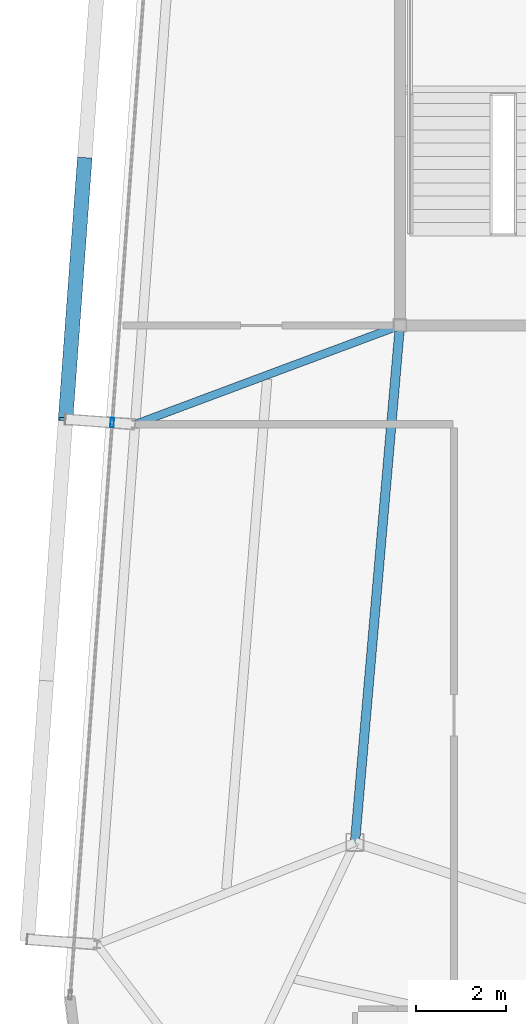
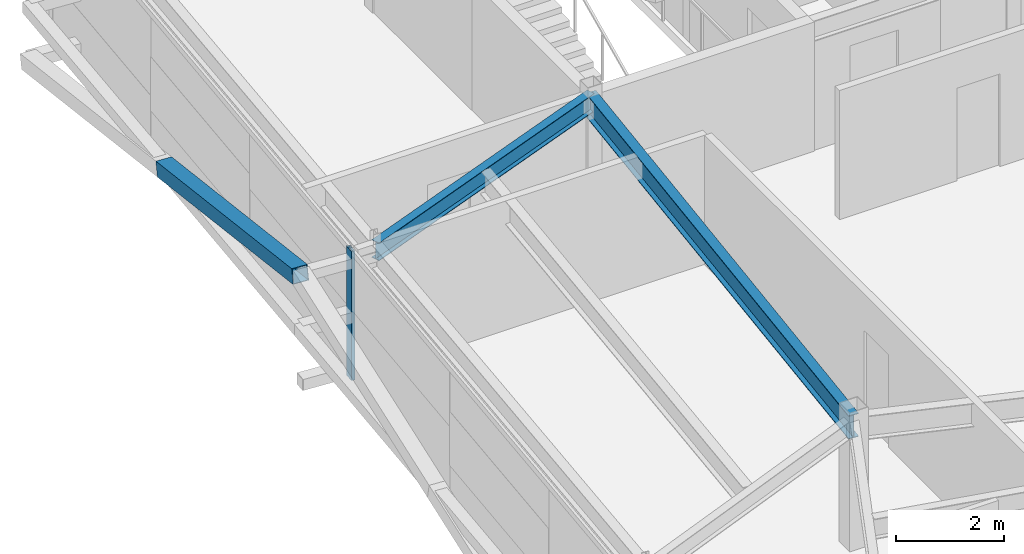
# One storey, part 13 of 34: 2 beams, 2 members, 1 element without a shape of its own.
"""IFC4 building model written with IfcOpenShell, lengths in metres."""

import ifcopenshell
import ifcopenshell.guid

model = None  # the IFC model being written
_history = None  # IfcOwnerHistory: only IFC2X3 demands one
_inside = {}  # id of a spatial element -> (the spatial element, [elements in it])
_under = {}  # id of a project, library or spatial element -> (it, [spatial elements below it])
_declared = {}  # id of a project -> (the project, [libraries it declares])
_typed = {}  # id of a type object -> (the type object, [elements of that type])
_made_of = {}  # id of a material, layer set ... -> (it, [elements and type objects made of it])


def new_model(schema):
    """Start an empty IFC model of exactly this schema.

    Asked for "IFC4X3", IfcOpenShell would pick the latest addendum, in which some entities
    have other attributes; the version numbers below select the first issue.
    IFC2X3 requires an IfcOwnerHistory on every rooted entity: one is made here for all.
    """
    global model, _history
    if schema == "IFC4X3":
        model = ifcopenshell.file(schema_version=(4, 3, 0, 0))
    else:
        model = ifcopenshell.file(schema=schema)
    _inside.clear()
    _under.clear()
    _declared.clear()
    _typed.clear()
    _made_of.clear()
    _history = None
    if model.schema == "IFC2X3":
        org = make("IfcOrganization", Name="unknown")
        user = make(
            "IfcPersonAndOrganization",
            ThePerson=make("IfcPerson", FamilyName="unknown"),
            TheOrganization=org,
        )
        app = make(
            "IfcApplication",
            ApplicationDeveloper=org,
            Version="unknown",
            ApplicationFullName="unknown",
            ApplicationIdentifier="unknown",
        )
        _history = make(
            "IfcOwnerHistory",
            OwningUser=user,
            OwningApplication=app,
            ChangeAction="ADDED",
            CreationDate=0,
        )
    return model


def make(cls, **values):
    """One entity of the class cls with the attributes given. An attribute that is None is left unset."""
    return model.create_entity(
        cls, **{name: value for name, value in values.items() if value is not None}
    )


def rooted(cls, **values):
    """An entity with a GlobalId (a new one), such as an element, a storey or a relation."""
    return make(cls, GlobalId=ifcopenshell.guid.new(), OwnerHistory=_history, **values)


def si_unit(unit_type, name, prefix=None):
    """IfcSIUnit, for example si_unit("LENGTHUNIT", "METRE", prefix="MILLI")."""
    return make("IfcSIUnit", UnitType=unit_type, Prefix=prefix, Name=name)


def assignment(units):
    """IfcUnitAssignment: the units of a project."""
    return None if units is None else make("IfcUnitAssignment", Units=units)


def point(xyz):
    """IfcCartesianPoint."""
    return None if xyz is None else make("IfcCartesianPoint", Coordinates=xyz)


def direction(xyz):
    """IfcDirection."""
    return None if xyz is None else make("IfcDirection", DirectionRatios=xyz)


def frame(location, z_axis=None, x_axis=None):
    """IfcAxis2Placement3D, a coordinate frame: its origin and axes. An axis left out is left unset."""
    return make(
        "IfcAxis2Placement3D",
        Location=point(location),
        Axis=direction(z_axis),
        RefDirection=direction(x_axis),
    )


def frame_2d(location, x_axis=None):
    """IfcAxis2Placement2D, a coordinate frame in the plane: its origin and x axis."""
    return make(
        "IfcAxis2Placement2D", Location=point(location), RefDirection=direction(x_axis)
    )


def origin():
    """The frame at (0, 0, 0) with its axes left unset."""
    return frame((0.0, 0.0, 0.0))


def origin_2d():
    """The frame at (0, 0) in the plane with its x axis left unset."""
    return frame_2d((0.0, 0.0))


def place(relative_to, where):
    """IfcLocalPlacement: puts the frame where relative to a parent placement (None: the world)."""
    return make(
        "IfcLocalPlacement", PlacementRelTo=relative_to, RelativePlacement=where
    )


def context(
    kind, dimensions, precision=None, world=None, true_north=None, identifier=None
):
    """IfcGeometricRepresentationContext, for example the 3D "Model" context."""
    return make(
        "IfcGeometricRepresentationContext",
        ContextIdentifier=identifier,
        ContextType=kind,
        CoordinateSpaceDimension=dimensions,
        Precision=precision,
        WorldCoordinateSystem=world,
        TrueNorth=true_north,
    )


def subcontext(parent, identifier, kind, view, scale=None):
    """IfcGeometricRepresentationSubContext, for example "Body" below "Model"."""
    return make(
        "IfcGeometricRepresentationSubContext",
        ContextIdentifier=identifier,
        ContextType=kind,
        ParentContext=parent,
        TargetScale=scale,
        TargetView=view,
    )


def project(units=None, contexts=None):
    """IfcProject with its units and contexts."""
    return rooted(
        "IfcProject",
        Name="project",
        RepresentationContexts=contexts,
        UnitsInContext=assignment(units),
    )


def spatial(cls, under=None, at=None, **own):
    """A site, building, storey or space (cls), placed at a placement, below another one or the project."""
    s = rooted(cls, ObjectPlacement=at, **own)
    if under is not None:
        _under.setdefault(under.id(), (under, []))[1].append(s)
    return s


def profile(cls, at=None, kind="AREA", **sizes):
    """A parametric profile (cls). Its sizes go by their IFC names, for example OverallWidth=200.0."""
    return make(cls, ProfileType=kind, Position=at, **sizes)


def hollow_rectangle(**sizes):
    """IfcRectangleHollowProfileDef."""
    return profile("IfcRectangleHollowProfileDef", **sizes)


def i_section(**sizes):
    """IfcIShapeProfileDef."""
    return profile("IfcIShapeProfileDef", **sizes)


def extrude(swept, where, along, depth):
    """IfcExtrudedAreaSolid: the profile swept, set in the frame where, extruded along a direction by depth."""
    return make(
        "IfcExtrudedAreaSolid",
        SweptArea=swept,
        Position=where,
        ExtrudedDirection=direction(along),
        Depth=depth,
    )


def shape(context_of_items, identifier, shape_type, items):
    """IfcShapeRepresentation: the items that make up one representation, for example the "Body"."""
    return make(
        "IfcShapeRepresentation",
        ContextOfItems=context_of_items,
        RepresentationIdentifier=identifier,
        RepresentationType=shape_type,
        Items=items,
    )


def source(mapping_origin, context_of_items, identifier, shape_type, items):
    """IfcRepresentationMap: a shape defined once, which mapped items show again and again."""
    return make(
        "IfcRepresentationMap",
        MappingOrigin=mapping_origin,
        MappedRepresentation=shape(context_of_items, identifier, shape_type, items),
    )


def transform(
    local_origin,
    x_axis=None,
    y_axis=None,
    z_axis=None,
    scale=None,
    scale2=None,
    scale3=None,
    uniform=True,
):
    """IfcCartesianTransformationOperator3D, or its non-uniform kind. x_axis, y_axis, z_axis: its Axis1, 2, 3."""
    if uniform:
        return make(
            "IfcCartesianTransformationOperator3D",
            Axis1=direction(x_axis),
            Axis2=direction(y_axis),
            LocalOrigin=point(local_origin),
            Scale=scale,
            Axis3=direction(z_axis),
        )
    return make(
        "IfcCartesianTransformationOperator3DnonUniform",
        Axis1=direction(x_axis),
        Axis2=direction(y_axis),
        LocalOrigin=point(local_origin),
        Scale=scale,
        Axis3=direction(z_axis),
        Scale2=scale2,
        Scale3=scale3,
    )


def mapped(mapping_source, mapping_target):
    """IfcMappedItem: shows the shape of a source again, moved by a transform."""
    return make(
        "IfcMappedItem", MappingSource=mapping_source, MappingTarget=mapping_target
    )


def material(Name=None, Category=None):
    """IfcMaterial."""
    return make("IfcMaterial", Name=Name, Category=Category)


def layer(
    of_material, thickness, ventilated=None, Name=None, Category=None, Priority=None
):
    """IfcMaterialLayer: one layer of a wall or slab, of a material (None: an air gap)."""
    return make(
        "IfcMaterialLayer",
        Material=of_material,
        LayerThickness=thickness,
        IsVentilated=ventilated,
        Name=Name,
        Category=Category,
        Priority=Priority,
    )


def layer_set(layers, Name=None):
    """IfcMaterialLayerSet."""
    return make("IfcMaterialLayerSet", MaterialLayers=layers, LayerSetName=Name)


def material_profile(
    of_material, cross_section, Name=None, Category=None, Priority=None
):
    """IfcMaterialProfile: a cross section and its material."""
    return make(
        "IfcMaterialProfile",
        Name=Name,
        Material=of_material,
        Profile=cross_section,
        Priority=Priority,
        Category=Category,
    )


def profile_set(profiles, Name=None, composite=None):
    """IfcMaterialProfileSet."""
    return make(
        "IfcMaterialProfileSet",
        Name=Name,
        MaterialProfiles=profiles,
        CompositeProfile=composite,
    )


def made_of(thing, what):
    """Note that an element or type object is made of a material, layer set ...; save() writes the relation."""
    if what is not None:
        _made_of.setdefault(what.id(), (what, []))[1].append(thing)
    return thing


def type_object(cls, material=None, **own):
    """A type object (cls), such as IfcWallType, which elements share."""
    return made_of(rooted(cls, **own), material)


def element(
    cls,
    number,
    at=None,
    inside=None,
    cuts=None,
    type_object=None,
    material=None,
    context=None,
    identifier="Body",
    shape_type=None,
    held_by="IfcProductDefinitionShape",
    body=None,
    shapes=None,
    **own,
):
    """One element of the class cls, such as IfcWall. Its Tag is "e" and its number.

    at: its placement. inside: the storey or other place that contains it. cuts: it is an
    opening in that element (IfcRelVoidsElement). A single representation is given by context,
    identifier, shape_type and body (its items); several are given by shapes. held_by: the class
    of the entity that holds the representations. save() writes the other relations.
    """
    e = rooted(cls, Tag="e%d" % number, ObjectPlacement=at, **own)
    if body is not None:
        shapes = [shape(context, identifier, shape_type, body)]
    if shapes is not None:
        e.Representation = make(held_by, Representations=shapes)
    if inside is not None:
        _inside.setdefault(inside.id(), (inside, []))[1].append(e)
    if cuts is not None:
        rooted(
            "IfcRelVoidsElement", RelatingBuildingElement=cuts, RelatedOpeningElement=e
        )
    if type_object is not None:
        _typed.setdefault(type_object.id(), (type_object, []))[1].append(e)
    return made_of(e, material)


def aggregate(whole, parts):
    """IfcRelAggregates: a whole, such as a stair, and the parts it consists of."""
    return rooted("IfcRelAggregates", RelatingObject=whole, RelatedObjects=parts)


def save(model, path):
    """Write the relations noted so far, then the file.

    IfcRelAggregates (storeys below a building ...), IfcRelContainedInSpatialStructure (elements
    in a storey), IfcRelDefinesByType, IfcRelAssociatesMaterial and IfcRelDeclares: one each for
    every whole, place, type object, material and project.
    """
    for whole, parts in _under.values():
        aggregate(whole, parts)
    for where, things in _inside.values():
        rooted(
            "IfcRelContainedInSpatialStructure",
            RelatedElements=things,
            RelatingStructure=where,
        )
    for kind, things in _typed.values():
        rooted("IfcRelDefinesByType", RelatedObjects=things, RelatingType=kind)
    for what, things in _made_of.values():
        rooted("IfcRelAssociatesMaterial", RelatedObjects=things, RelatingMaterial=what)
    for by, libraries in _declared.values():
        rooted("IfcRelDeclares", RelatingContext=by, RelatedDefinitions=libraries)
    model.write(path)


model = new_model("IFC4")

# Units and contexts
model_context = context("Model", 3, precision=1e-05, world=origin(), true_north=direction((0.0, 1.0)))
body_context = subcontext(model_context, "Body", "Model", "MODEL_VIEW")
ifc_project = project(units=[si_unit("LENGTHUNIT", "METRE"), si_unit("AREAUNIT", "SQUARE_METRE"), si_unit("VOLUMEUNIT", "CUBIC_METRE"), si_unit("PLANEANGLEUNIT", "RADIAN"), si_unit("MASSUNIT", "GRAM", prefix="KILO")], contexts=[model_context])

# Site, building, storey
site_placement = place(None, origin())
site = spatial("IfcSite", under=ifc_project, at=site_placement, CompositionType="ELEMENT")
building_placement = place(site_placement, origin())
building = spatial("IfcBuilding", under=site, at=building_placement, Name="Taldren Reach Tower", CompositionType="ELEMENT")
storey_placement = place(building_placement, frame((0.0, 0.0, 242.89990234375)))
storey = spatial("IfcBuildingStorey", under=building, at=storey_placement, Name="L74", CompositionType="ELEMENT", Elevation=242.89990234375)

# Beams
ifc_material_1 = material(Name="Steel Gr 350 (350PLUS)", Category="steel")
ifc_material_profile_1 = material_profile(ifc_material_1, i_section(OverallWidth=0.208984375, OverallDepth=0.532958984375, WebThickness=0.01025390625, FlangeThickness=0.015625, at=origin_2d()), Name="530UB92.4")
ifc_profile_set_1 = profile_set([ifc_material_profile_1], Name="Steel Gr 350 (350PLUS)")
beam_type_1 = type_object("IfcBeamType", Name="BM-UB530A", PredefinedType="BEAM", material=ifc_profile_set_1)
shared_shape_1 = source(origin(), body_context, "Body", "SweptSolid", [
    extrude(i_section(OverallWidth=0.208984375, OverallDepth=0.532958984375, WebThickness=0.01025390625, FlangeThickness=0.015625, at=origin_2d()), origin(), (0.0, 0.0, 1.0), 11.54345703125),
])
beam_1_placement = place(storey_placement, frame((19.0, 24.0, 2.66357421875), z_axis=(-0.086629616365, -0.996240588196, 0.0), x_axis=(0.996240588196, -0.086629616365, 0.0)))
element("IfcBeam", 1, at=beam_1_placement, inside=storey, type_object=beam_type_1, Name="Core-spine girder L74-SP09", PredefinedType="BEAM", context=body_context, shape_type="MappedRepresentation", body=[
    mapped(shared_shape_1, transform((0.0, 0.0, 0.0), scale=1.0)),
])
ifc_material_profile_2 = material_profile(ifc_material_1, i_section(OverallWidth=0.177978515625, OverallDepth=0.406005859375, WebThickness=0.0078125, FlangeThickness=0.0126953125, at=origin_2d()), Name="410UB59.7")
ifc_profile_set_2 = profile_set([ifc_material_profile_2], Name="Steel Gr 350 (350PLUS)")
beam_type_2 = type_object("IfcBeamType", Name="BM-UB410", PredefinedType="BEAM", material=ifc_profile_set_2)
shared_shape_2 = source(origin(), body_context, "Body", "SweptSolid", [
    extrude(i_section(OverallWidth=0.177978515625, OverallDepth=0.406005859375, WebThickness=0.0078125, FlangeThickness=0.0126953125, at=origin_2d()), origin(), (0.0, 0.0, 1.0), 6.28857421875),
])
beam_2_placement = place(storey_placement, frame((19.0, 24.0, 2.72705078125), z_axis=(-0.936827605945, -0.349791418904, 0.0), x_axis=(0.349791418904, -0.936827605945, 0.0)))
element("IfcBeam", 2, at=beam_2_placement, inside=storey, type_object=beam_type_2, Name="Primary floor girder B5-W2 L74", PredefinedType="BEAM", context=body_context, shape_type="MappedRepresentation", body=[
    mapped(shared_shape_2, transform((0.0, 0.0, 0.0), scale=1.0)),
])

# Member
ifc_material_2 = material(Name="Steel Gr 450 (C450L0)", Category="steel")
ifc_material_profile_3 = material_profile(ifc_material_2, hollow_rectangle(XDim=0.324951171875, YDim=0.324951171875, WallThickness=0.0126953125, at=origin_2d()), Name="325x325x12.7SHS")
ifc_profile_set_3 = profile_set([ifc_material_profile_3], Name="Steel Gr 450 (C450L0)")
member_type_1 = type_object("IfcMemberType", Name="MB-BR324", PredefinedType="BRACE", material=ifc_profile_set_3)
shared_shape_3 = source(origin(), body_context, "Body", "SweptSolid", [
    extrude(hollow_rectangle(XDim=0.324951171875, YDim=0.324951171875, WallThickness=0.0126953125, at=origin_2d()), origin(), (0.0, 0.0, 1.0), 5.926025390625),
])
member_1_placement = place(storey_placement, frame((11.987548828125, 27.6982421875, 1.43505859375), z_axis=(-0.071685935393, -0.976123486939, 0.205046494513), x_axis=(0.997314185625, -0.073242167855, 0.0)))
element("IfcMember", 3, at=member_1_placement, inside=storey, type_object=member_type_1, Name="Exoskeleton Diagrid Brace B5-W2 L74", PredefinedType="BRACE", context=body_context, shape_type="MappedRepresentation", body=[
    mapped(shared_shape_3, transform((0.0, 0.0, 0.0), scale=1.0)),
])

# Curtain wall, member
ifc_material_3 = material(Name="Aluminium and Low-E Glass Unitised System", Category="aluminium")
ifc_layer = layer(ifc_material_3, 0.159912109375)
ifc_layer_set = layer_set([ifc_layer], Name="Aluminium and Low-E Glass Unitised System")
curtain_wall_type = type_object("IfcCurtainWallType", Name="CW-SYS-6", PredefinedType="NOTDEFINED", material=ifc_layer_set)
curtain_wall_placement = place(storey_placement, origin())
curtain_wall = element("IfcCurtainWall", 4, at=curtain_wall_placement, inside=storey, type_object=curtain_wall_type, Name="Unitised curtain wall CW-L74-W", PredefinedType="NOTDEFINED")
ifc_material_4 = material(Name="Anodised Aluminium 6063-T6", Category="aluminium")
ifc_material_profile_4 = material_profile(ifc_material_4, hollow_rectangle(XDim=0.074951171875, YDim=0.2099609375, WallThickness=0.00439453125, at=origin_2d()), Name="ALU-210x75x4.5RHS")
ifc_profile_set_4 = profile_set([ifc_material_profile_4], Name="Anodised Aluminium 6063-T6")
member_type_2 = type_object("IfcMemberType", Name="CW-MUL-200", PredefinedType="MULLION", material=ifc_profile_set_4)
shared_shape_4 = source(origin(), body_context, "Body", "SweptSolid", [
    extrude(hollow_rectangle(XDim=0.074951171875, YDim=0.2099609375, WallThickness=0.00439453125, at=origin_2d()), origin(), (0.0, 0.0, 1.0), 2.93017578125),
])
member_2_placement = place(storey_placement, frame((12.60009765625, 21.837646484375, 0.0), z_axis=(0.0, 0.0, 1.0), x_axis=(0.997314470951, -0.073238282558, 0.0)))
member_2 = element("IfcMember", 5, at=member_2_placement, type_object=member_type_2, Name="CW-6 mullion 2", PredefinedType="MULLION", context=body_context, shape_type="MappedRepresentation", body=[
    mapped(shared_shape_4, transform((0.0, 0.0, 0.0), scale=1.0)),
])
aggregate(curtain_wall, [member_2])

save(model, "model.ifc")
